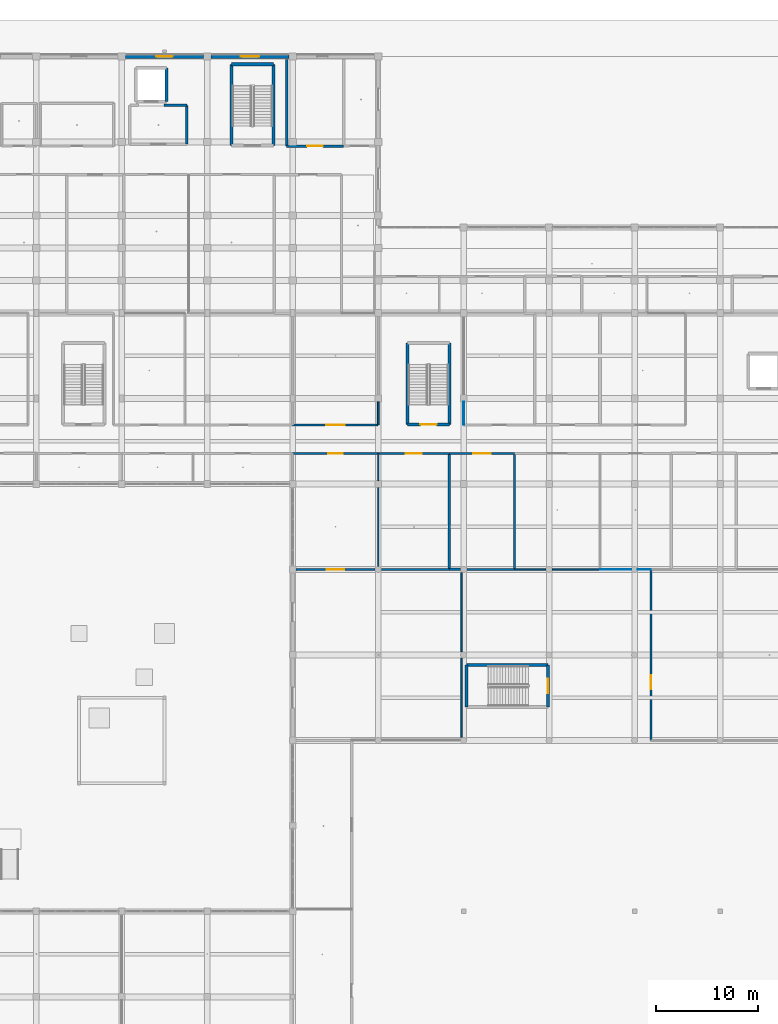
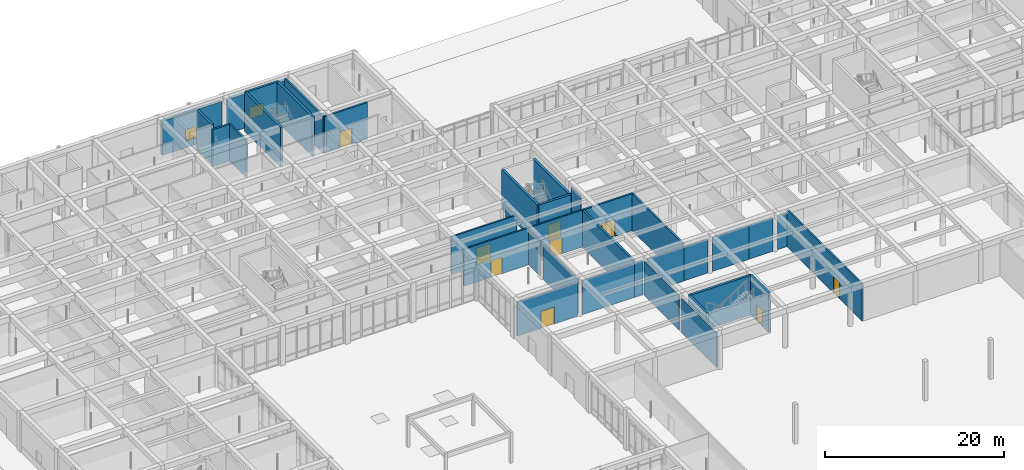
# One storey, part 69 of 167: 37 walls, 9 doors, 2 windows, 11 openings.
"""IFC4 building model written with IfcOpenShell, lengths in metres."""

from ifc_helpers import new_model, si_unit, direction, frame, frame_2d, origin, place, context, subcontext, project, spatial, rectangle, extrude, material, layer, layer_set, type_object, element, fill, save


model = new_model("IFC4")

# Units and contexts
model_context = context("Model", 3, precision=1e-05, world=origin(), true_north=direction((0.0, 1.0)))
body_context = subcontext(model_context, "Body", "Model", "MODEL_VIEW")
ifc_project = project(units=[si_unit("LENGTHUNIT", "METRE"), si_unit("AREAUNIT", "SQUARE_METRE"), si_unit("VOLUMEUNIT", "CUBIC_METRE"), si_unit("PLANEANGLEUNIT", "RADIAN"), si_unit("MASSUNIT", "GRAM", prefix="KILO")], contexts=[model_context])

# Site, building, storey
site_placement = place(None, origin())
site = spatial("IfcSite", under=ifc_project, at=site_placement, CompositionType="ELEMENT")
building_placement = place(site_placement, origin())
building = spatial("IfcBuilding", under=site, at=building_placement, Name="Varncliffe General Hospital", CompositionType="ELEMENT")
storey_placement = place(building_placement, origin())
storey = spatial("IfcBuildingStorey", under=building, at=storey_placement, Name="L00", CompositionType="ELEMENT", Elevation=0.0)

# Wall, opening, window
ifc_material_1 = material(Name="Precast concrete C40/50 with insulated cream lime-cement stucco", Category="concrete")
ifc_layer_1 = layer(ifc_material_1, 0.3798828125)
ifc_layer_set_1 = layer_set([ifc_layer_1], Name="Precast concrete C40/50 with insulated cream lime-cement stucco")
wall_type_1 = type_object("IfcWallType", Name="Exterior Insulated Stucco Wall EW26 (380mm)", PredefinedType="SOLIDWALL", material=ifc_layer_set_1)
wall_1_placement = place(storey_placement, frame((42.347900390625, 124.800048828125, 0.0), z_axis=(0.0, 0.0, 1.0), x_axis=(1.0, 0.0, 0.0)))
wall_1 = element("IfcWall", 1, at=wall_1_placement, inside=storey, type_object=wall_type_1, Name="L00 Exterior Stucco Wall EW26-18", PredefinedType="SOLIDWALL", context=body_context, shape_type="SweptSolid", body=[
    extrude(rectangle(XDim=7.7041015625, YDim=0.3798828125, at=frame_2d((3.85205078125, 0.0))), origin(), (0.0, 0.0, 1.0), 4.679931640625),
])
opening_1_placement = place(wall_1_placement, frame((3.027099609375, 0.0, 0.89990234375)))
opening_1 = element("IfcOpeningElement", 2, at=opening_1_placement, cuts=wall_1, Name="Opening WN20", PredefinedType="OPENING", context=body_context, shape_type="SweptSolid", body=[
    extrude(rectangle(XDim=1.64990234375, YDim=1.550048828125, at=frame_2d((0.824951171875, 0.77490234375))), frame((0.0, 0.199951171875, 0.0), z_axis=(0.0, -1.0, 0.0), x_axis=(1.0, 0.0, 0.0)), (0.0, 0.0, 1.0), 0.39990234375),
])
ifc_material_2 = material(Name="Triple low-E argon insulated vision glazing", Category="glass")
window_type_1 = type_object("IfcWindowType", Name="Triple-Glazed Hospital Window WN20 (1650x1550)", PartitioningType="DOUBLE_PANEL_VERTICAL", PredefinedType="WINDOW", material=ifc_material_2)
window_1_placement = place(opening_1_placement, origin())
window_1 = element("IfcWindow", 3, at=window_1_placement, inside=storey, type_object=window_type_1, Name="L00 Hospital Window WN20-13", OverallHeight=1.550048828125, OverallWidth=1.64990234375, PartitioningType="DOUBLE_PANEL_VERTICAL", PredefinedType="WINDOW", context=body_context, shape_type="SweptSolid", body=[
    extrude(rectangle(XDim=1.64990234375, YDim=1.550048828125, at=frame_2d((0.824951171875, 0.77490234375))), frame((0.0, 0.030029296875, 0.0), z_axis=(0.0, -1.0, 0.0), x_axis=(1.0, 0.0, 0.0)), (0.0, 0.0, 1.0), 0.06005859375),
])
fill(opening_1, window_1)

ifc_layer_2 = layer(ifc_material_1, 0.35009765625)
ifc_layer_set_2 = layer_set([ifc_layer_2], Name="Precast concrete C40/50 with insulated cream lime-cement stucco")
wall_type_2 = type_object("IfcWallType", Name="Exterior Insulated Stucco Wall EW37 (350mm)", PredefinedType="SOLIDWALL", material=ifc_layer_set_2)
wall_2_placement = place(storey_placement, frame((50.748046875, 124.800048828125, 0.0), z_axis=(0.0, 0.0, 1.0), x_axis=(1.0, 0.0, 0.0)))
wall_2 = element("IfcWall", 4, at=wall_2_placement, inside=storey, type_object=wall_type_2, Name="L00 Exterior Stucco Wall EW37-19", PredefinedType="SOLIDWALL", context=body_context, shape_type="SweptSolid", body=[
    extrude(rectangle(XDim=7.703857421875, YDim=0.35009765625, at=frame_2d((3.85205078125, 0.0))), origin(), (0.0, 0.0, 1.0), 4.679931640625),
])
opening_2_placement = place(wall_2_placement, frame((2.951904296875, 0.0, 0.89990234375)))
opening_2 = element("IfcOpeningElement", 5, at=opening_2_placement, cuts=wall_2, Name="Opening WN52", PredefinedType="OPENING", context=body_context, shape_type="SweptSolid", body=[
    extrude(rectangle(XDim=1.800048828125, YDim=1.550048828125, at=frame_2d((0.89990234375, 0.77490234375))), frame((0.0, 0.18505859375, 0.0), z_axis=(0.0, -1.0, 0.0), x_axis=(1.0, 0.0, 0.0)), (0.0, 0.0, 1.0), 0.3701171875),
])
window_type_2 = type_object("IfcWindowType", Name="Triple-Glazed Hospital Window WN52 (1800x1550)", PartitioningType="DOUBLE_PANEL_VERTICAL", PredefinedType="WINDOW", material=ifc_material_2)
window_2_placement = place(opening_2_placement, origin())
window_2 = element("IfcWindow", 6, at=window_2_placement, inside=storey, type_object=window_type_2, Name="L00 Hospital Window WN52-14", OverallHeight=1.550048828125, OverallWidth=1.800048828125, PartitioningType="DOUBLE_PANEL_VERTICAL", PredefinedType="WINDOW", context=body_context, shape_type="SweptSolid", body=[
    extrude(rectangle(XDim=1.800048828125, YDim=1.550048828125, at=frame_2d((0.89990234375, 0.77490234375))), frame((0.0, 0.030029296875, 0.0), z_axis=(0.0, -1.0, 0.0), x_axis=(1.0, 0.0, 0.0)), (0.0, 0.0, 1.0), 0.06005859375),
])
fill(opening_2, window_2)

# Walls
ifc_material_3 = material(Name="Acoustic clinical gypsum stud partition assembly", Category="gypsum")
ifc_layer_3 = layer(ifc_material_3, 0.1298828125)
ifc_layer_set_3 = layer_set([ifc_layer_3], Name="Acoustic clinical gypsum stud partition assembly")
wall_type_3 = type_object("IfcWallType", Name="Interior Partitioning IW11 (130mm)", PredefinedType="PARTITIONING", material=ifc_layer_set_3)
wall_3_placement = place(storey_placement, frame((67.199951171875, 74.715087890625, 0.0), z_axis=(0.0, 0.0, 1.0), x_axis=(0.0, 1.0, 0.0)))
element("IfcWall", 7, at=wall_3_placement, inside=storey, type_object=wall_type_3, Name="L00 Interior Partition Wall IW11-328", PredefinedType="PARTITIONING", context=body_context, shape_type="SweptSolid", body=[
    extrude(rectangle(XDim=7.744873046875, YDim=0.1298828125, at=frame_2d((3.87255859375, 0.0))), origin(), (0.0, 0.0, 1.0), 4.68505859375),
])
wall_4_placement = place(storey_placement, frame((67.199951171875, 83.139892578125, 0.0), z_axis=(0.0, 0.0, 1.0), x_axis=(0.0, 1.0, 0.0)))
element("IfcWall", 8, at=wall_4_placement, inside=storey, type_object=wall_type_3, Name="L00 Interior Partition Wall IW11-329", PredefinedType="PARTITIONING", context=body_context, shape_type="SweptSolid", body=[
    extrude(rectangle(XDim=2.66015625, YDim=0.1298828125, at=frame_2d((1.330078125, 0.0))), origin(), (0.0, 0.0, 1.0), 4.68505859375),
])
ifc_layer_4 = layer(ifc_material_3, 0.169921875)
ifc_layer_set_4 = layer_set([ifc_layer_4], Name="Acoustic clinical gypsum stud partition assembly")
wall_type_4 = type_object("IfcWallType", Name="Interior Partitioning IW20 (170mm)", PredefinedType="PARTITIONING", material=ifc_layer_set_4)
wall_5_placement = place(storey_placement, frame((67.199951171875, 88.60009765625, 0.0), z_axis=(0.0, 0.0, 1.0), x_axis=(0.0, 1.0, 0.0)))
element("IfcWall", 9, at=wall_5_placement, inside=storey, type_object=wall_type_4, Name="L00 Interior Partition Wall IW20-331", PredefinedType="PARTITIONING", context=body_context, shape_type="SweptSolid", body=[
    extrude(rectangle(XDim=2.260009765625, YDim=0.169921875, at=frame_2d((1.1298828125, 0.0))), origin(), (0.0, 0.0, 1.0), 4.68505859375),
])
ifc_layer_5 = layer(ifc_material_3, 0.14990234375)
ifc_layer_set_5 = layer_set([ifc_layer_5], Name="Acoustic clinical gypsum stud partition assembly")
wall_type_5 = type_object("IfcWallType", Name="Interior Partitioning IW35 (150mm)", PredefinedType="PARTITIONING", material=ifc_layer_set_5)
wall_6_placement = place(storey_placement, frame((84.31494140625, 74.39990234375, 0.0), z_axis=(0.0, 0.0, 1.0), x_axis=(1.0, 0.0, 0.0)))
element("IfcWall", 10, at=wall_6_placement, inside=storey, type_object=wall_type_5, Name="L00 Interior Partition Wall IW35-129", PredefinedType="PARTITIONING", context=body_context, shape_type="SweptSolid", body=[
    extrude(rectangle(XDim=4.68505859375, YDim=0.14990234375, at=frame_2d((2.342529296875, 0.0))), origin(), (0.0, 0.0, 1.0), 4.635009765625),
])
wall_7_placement = place(storey_placement, frame((80.60009765625, 74.39990234375, 0.0), z_axis=(0.0, 0.0, 1.0), x_axis=(1.0, 0.0, 0.0)))
element("IfcWall", 11, at=wall_7_placement, inside=storey, type_object=wall_type_5, Name="L00 Interior Partition Wall IW35-130", PredefinedType="PARTITIONING", context=body_context, shape_type="SweptSolid", body=[
    extrude(rectangle(XDim=3.0849609375, YDim=0.14990234375, at=frame_2d((1.54248046875, 0.0))), origin(), (0.0, 0.0, 1.0), 4.635009765625),
])
for number, where, z_axis, x_axis, name in (
    (12, (75.39990234375, 57.9150390625, 0.0), (0.0, 0.0, 1.0), (0.0, 1.0, 0.0), "L00 Interior Partition Wall IW35-334"),
    (13, (75.39990234375, 66.31494140625, 0.0), (0.0, 0.0, 1.0), (0.0, 1.0, 0.0), "L00 Interior Partition Wall IW35-335"),
):
    element("IfcWall", number, at=place(storey_placement, frame(where, z_axis=z_axis, x_axis=x_axis)), inside=storey, type_object=wall_type_5, Name=name, PredefinedType="PARTITIONING", context=body_context, shape_type="SweptSolid", body=[
        extrude(rectangle(XDim=7.77001953125, YDim=0.14990234375, at=frame_2d((3.885009765625, 0.0))), origin(), (0.0, 0.0, 1.0), 4.68505859375),
    ])
ifc_layer_6 = layer(ifc_material_3, 0.090087890625)
ifc_layer_set_6 = layer_set([ifc_layer_6], Name="Acoustic clinical gypsum stud partition assembly")
wall_type_6 = type_object("IfcWallType", Name="Interior Partitioning IW42 (90mm)", PredefinedType="PARTITIONING", material=ifc_layer_set_6)
wall_8_placement = place(storey_placement, frame((89.0, 74.39990234375, 0.0), z_axis=(0.0, 0.0, 1.0), x_axis=(1.0, 0.0, 0.0)))
element("IfcWall", 14, at=wall_8_placement, inside=storey, type_object=wall_type_6, Name="L00 Interior Partition Wall IW42-131", PredefinedType="PARTITIONING", context=body_context, shape_type="SweptSolid", body=[
    extrude(rectangle(XDim=3.0849609375, YDim=0.090087890625, at=frame_2d((1.54248046875, 0.0))), origin(), (0.0, 0.0, 1.0), 4.635009765625),
])
wall_9_placement = place(storey_placement, frame((92.715087890625, 74.39990234375, 0.0), z_axis=(0.0, 0.0, 1.0), x_axis=(1.0, 0.0, 0.0)))
element("IfcWall", 15, at=wall_9_placement, inside=storey, type_object=wall_type_6, Name="L00 Interior Partition Wall IW42-132", PredefinedType="PARTITIONING", context=body_context, shape_type="SweptSolid", body=[
    extrude(rectangle(XDim=1.284912109375, YDim=0.090087890625, at=frame_2d((0.642578125, 0.0))), origin(), (0.0, 0.0, 1.0), 4.635009765625),
])
wall_10_placement = place(storey_placement, frame((75.60009765625, 88.60009765625, 0.0), z_axis=(0.0, 0.0, 1.0), x_axis=(0.0, 1.0, 0.0)))
element("IfcWall", 16, at=wall_10_placement, inside=storey, type_object=wall_type_6, Name="L00 Interior Partition Wall IW42-337", PredefinedType="PARTITIONING", context=body_context, shape_type="SweptSolid", body=[
    extrude(rectangle(XDim=2.260009765625, YDim=0.090087890625, at=frame_2d((1.1298828125, 0.0))), origin(), (0.0, 0.0, 1.0), 4.68505859375),
])
ifc_material_4 = material(Name="Fire-rated gypsum and mineral-wool partition assembly", Category="gypsum")
ifc_layer_7 = layer(ifc_material_4, 0.25)
ifc_layer_set_7 = layer_set([ifc_layer_7], Name="Fire-rated gypsum and mineral-wool partition assembly")
wall_type_7 = type_object("IfcWallType", Name="Interior Partitioning PW38 (250mm)", PredefinedType="PARTITIONING", material=ifc_layer_set_7)
wall_11_placement = place(storey_placement, frame((74.199951171875, 74.39990234375, 0.0), z_axis=(0.0, 0.0, 1.0), x_axis=(1.0, 0.0, 0.0)))
element("IfcWall", 17, at=wall_11_placement, inside=storey, type_object=wall_type_7, Name="L00 Interior Partition Wall PW38-127", PredefinedType="PARTITIONING", context=body_context, shape_type="SweptSolid", body=[
    extrude(rectangle(XDim=1.0849609375, YDim=0.25, at=frame_2d((0.54248046875, 0.0))), origin(), (0.0, 0.0, 1.0), 4.635009765625),
])

# Wall, opening, door
wall_12_placement = place(storey_placement, frame((58.199951171875, 116.0, 0.0), z_axis=(0.0, 0.0, 1.0), x_axis=(1.0, 0.0, 0.0)))
wall_12 = element("IfcWall", 18, at=wall_12_placement, inside=storey, type_object=wall_type_7, Name="L00 Interior Partition Wall PW38-247", PredefinedType="PARTITIONING", context=body_context, shape_type="SweptSolid", body=[
    extrude(rectangle(XDim=5.60009765625, YDim=0.25, at=frame_2d((2.800048828125, 0.0))), origin(), (0.0, 0.0, 1.0), 5.0400390625),
])
opening_3_placement = place(wall_12_placement, frame((2.02490234375, 0.0, 0.0)))
opening_3 = element("IfcOpeningElement", 19, at=opening_3_placement, cuts=wall_12, Name="Opening DC67", PredefinedType="OPENING", context=body_context, shape_type="SweptSolid", body=[
    extrude(rectangle(XDim=1.550048828125, YDim=2.25, at=frame_2d((0.77490234375, 1.125))), frame((0.0, 0.135009765625, 0.0), z_axis=(0.0, -1.0, 0.0), x_axis=(1.0, 0.0, 0.0)), (0.0, 0.0, 1.0), 0.27001953125),
])
ifc_material_5 = material(Name="Fire-rated hospital steel-frame vision-panel door", Category="steel")
door_type_1 = type_object("IfcDoorType", Name="Interior Hospital Door DC67 (1550x2250)", OperationType="NOTDEFINED", PredefinedType="DOOR", material=ifc_material_5)
door_1_placement = place(opening_3_placement, origin())
door_1 = element("IfcDoor", 20, at=door_1_placement, inside=storey, type_object=door_type_1, Name="L00 Ground Ward Clean Utility Store 132 Door", OperationType="SINGLE_SWING_LEFT", OverallHeight=2.25, OverallWidth=1.550048828125, PredefinedType="DOOR", context=body_context, shape_type="SweptSolid", body=[
    extrude(rectangle(XDim=1.550048828125, YDim=2.25, at=frame_2d((0.77490234375, 1.125))), frame((0.0, 0.02490234375, 0.0), z_axis=(0.0, -1.0, 0.0), x_axis=(1.0, 0.0, 0.0)), (0.0, 0.0, 1.0), 0.050048828125),
])
fill(opening_3, door_1)

# Walls
wall_13_placement = place(storey_placement, frame((46.135986328125, 120.0, 0.0), z_axis=(0.0, 0.0, 1.0), x_axis=(1.0, 0.0, 0.0)))
element("IfcWall", 21, at=wall_13_placement, inside=storey, type_object=wall_type_7, Name="L00 Interior Partition Wall PW38-259", PredefinedType="PARTITIONING", context=body_context, shape_type="SweptSolid", body=[
    extrude(rectangle(XDim=2.263916015625, YDim=0.25, at=frame_2d((1.1318359375, 0.0))), origin(), (0.0, 0.0, 1.0), 5.0400390625),
])
wall_14_placement = place(storey_placement, frame((74.199951171875, 74.39990234375, 0.0), z_axis=(0.0, 0.0, 1.0), x_axis=(0.0, 1.0, 0.0)))
element("IfcWall", 22, at=wall_14_placement, inside=storey, type_object=wall_type_7, Name="L00 Interior Partition Wall PW38-333", PredefinedType="PARTITIONING", context=body_context, shape_type="SweptSolid", body=[
    extrude(rectangle(XDim=11.400146484375, YDim=0.25, at=frame_2d((5.7001953125, 0.0))), origin(), (0.0, 0.0, 1.0), 5.0400390625),
])
ifc_layer_8 = layer(ifc_material_4, 0.22998046875)
ifc_layer_set_8 = layer_set([ifc_layer_8], Name="Fire-rated gypsum and mineral-wool partition assembly")
wall_type_8 = type_object("IfcWallType", Name="Interior Partitioning PW48 (230mm)", PredefinedType="PARTITIONING", material=ifc_layer_set_8)
wall_15_placement = place(storey_placement, frame((75.9150390625, 74.39990234375, 0.0), z_axis=(0.0, 0.0, 1.0), x_axis=(1.0, 0.0, 0.0)))
element("IfcWall", 23, at=wall_15_placement, inside=storey, type_object=wall_type_8, Name="L00 Interior Partition Wall PW48-128", PredefinedType="PARTITIONING", context=body_context, shape_type="SweptSolid", body=[
    extrude(rectangle(XDim=4.68505859375, YDim=0.22998046875, at=frame_2d((2.342529296875, 0.0))), origin(), (0.0, 0.0, 1.0), 4.635009765625),
])

# Wall, opening, door
wall_16_placement = place(storey_placement, frame((74.199951171875, 85.800048828125, 0.0), z_axis=(0.0, 0.0, 1.0), x_axis=(1.0, 0.0, 0.0)))
wall_16 = element("IfcWall", 24, at=wall_16_placement, inside=storey, type_object=wall_type_8, Name="L00 Interior Partition Wall PW48-152", PredefinedType="PARTITIONING", context=body_context, shape_type="SweptSolid", body=[
    extrude(rectangle(XDim=6.400146484375, YDim=0.22998046875, at=frame_2d((3.2001953125, 0.0))), origin(), (0.0, 0.0, 1.0), 5.0400390625),
])
opening_4_placement = place(wall_16_placement, frame((2.35009765625, 0.0, 0.0)))
opening_4 = element("IfcOpeningElement", 25, at=opening_4_placement, cuts=wall_16, Name="Opening DC50", PredefinedType="OPENING", context=body_context, shape_type="SweptSolid", body=[
    extrude(rectangle(XDim=1.699951171875, YDim=2.300048828125, at=frame_2d((0.85009765625, 1.14990234375))), frame((0.0, 0.125, 0.0), z_axis=(0.0, -1.0, 0.0), x_axis=(1.0, 0.0, 0.0)), (0.0, 0.0, 1.0), 0.25),
])
door_type_2 = type_object("IfcDoorType", Name="Interior Hospital Door DC50 (1700x2300)", OperationType="NOTDEFINED", PredefinedType="DOOR", material=ifc_material_5)
door_2_placement = place(opening_4_placement, frame((1.699951171875, 0.0, 0.0), z_axis=(0.0, 0.0, 1.0), x_axis=(-1.0, 0.0, 0.0)))
door_2 = element("IfcDoor", 26, at=door_2_placement, inside=storey, type_object=door_type_2, Name="L00 Surgical Clean Supply Store 70 Door", OperationType="SINGLE_SWING_LEFT", OverallHeight=2.300048828125, OverallWidth=1.699951171875, PredefinedType="DOOR", context=body_context, shape_type="SweptSolid", body=[
    extrude(rectangle(XDim=1.699951171875, YDim=2.300048828125, at=frame_2d((0.85009765625, 1.14990234375))), frame((0.0, 0.02490234375, 0.0), z_axis=(0.0, -1.0, 0.0), x_axis=(1.0, 0.0, 0.0)), (0.0, 0.0, 1.0), 0.050048828125),
])
fill(opening_4, door_2)

# Walls
wall_17_placement = place(storey_placement, frame((48.39990234375, 116.199951171875, 0.0), z_axis=(0.0, 0.0, 1.0), x_axis=(0.0, 1.0, 0.0)))
element("IfcWall", 27, at=wall_17_placement, inside=storey, type_object=wall_type_8, Name="L00 Interior Partition Wall PW48-310", PredefinedType="PARTITIONING", context=body_context, shape_type="SweptSolid", body=[
    extrude(rectangle(XDim=3.800048828125, YDim=0.22998046875, at=frame_2d((1.89990234375, 0.0))), origin(), (0.0, 0.0, 1.0), 5.0400390625),
])
wall_18_placement = place(storey_placement, frame((58.199951171875, 116.0, 0.0), z_axis=(0.0, 0.0, 1.0), x_axis=(0.0, 1.0, 0.0)))
element("IfcWall", 28, at=wall_18_placement, inside=storey, type_object=wall_type_8, Name="L00 Interior Partition Wall PW48-314", PredefinedType="PARTITIONING", context=body_context, shape_type="SweptSolid", body=[
    extrude(rectangle(XDim=8.5400390625, YDim=0.22998046875, at=frame_2d((4.27001953125, 0.0))), origin(), (0.0, 0.0, 1.0), 5.0400390625),
])
wall_19_placement = place(storey_placement, frame((80.60009765625, 74.39990234375, 0.0), z_axis=(0.0, 0.0, 1.0), x_axis=(0.0, 1.0, 0.0)))
element("IfcWall", 29, at=wall_19_placement, inside=storey, type_object=wall_type_8, Name="L00 Interior Partition Wall PW48-338", PredefinedType="PARTITIONING", context=body_context, shape_type="SweptSolid", body=[
    extrude(rectangle(XDim=11.400146484375, YDim=0.22998046875, at=frame_2d((5.7001953125, 0.0))), origin(), (0.0, 0.0, 1.0), 5.0400390625),
])

# Wall, opening, door
ifc_layer_9 = layer(ifc_material_4, 0.199951171875)
ifc_layer_set_9 = layer_set([ifc_layer_9], Name="Fire-rated gypsum and mineral-wool partition assembly")
wall_type_9 = type_object("IfcWallType", Name="Interior Partitioning PW63 (200mm)", PredefinedType="PARTITIONING", material=ifc_layer_set_9)
wall_20_placement = place(storey_placement, frame((59.139892578125, 74.39990234375, 0.0), z_axis=(0.0, 0.0, 1.0), x_axis=(1.0, 0.0, 0.0)))
wall_20 = element("IfcWall", 30, at=wall_20_placement, inside=storey, type_object=wall_type_9, Name="L00 Interior Partition Wall PW63-125", PredefinedType="PARTITIONING", context=body_context, shape_type="SweptSolid", body=[
    extrude(rectangle(XDim=7.7451171875, YDim=0.199951171875, at=frame_2d((3.87255859375, 0.0))), origin(), (0.0, 0.0, 1.0), 4.635009765625),
])
opening_5_placement = place(wall_20_placement, frame((3.0224609375, 0.0, 0.0)))
opening_5 = element("IfcOpeningElement", 31, at=opening_5_placement, cuts=wall_20, Name="Opening DC50", PredefinedType="OPENING", context=body_context, shape_type="SweptSolid", body=[
    extrude(rectangle(XDim=1.699951171875, YDim=2.300048828125, at=frame_2d((0.85009765625, 1.14990234375))), frame((0.0, 0.10986328125, 0.0), z_axis=(0.0, -1.0, 0.0), x_axis=(1.0, 0.0, 0.0)), (0.0, 0.0, 1.0), 0.219970703125),
])
door_3_placement = place(opening_5_placement, frame((1.699951171875, 0.0, 0.0), z_axis=(0.0, 0.0, 1.0), x_axis=(-1.0, 0.0, 0.0)))
door_3 = element("IfcDoor", 32, at=door_3_placement, inside=storey, type_object=door_type_2, Name="L00 Winter-Garden Diagnostic Reception Lounge Door", OperationType="SINGLE_SWING_RIGHT", OverallHeight=2.300048828125, OverallWidth=1.699951171875, PredefinedType="DOOR", context=body_context, shape_type="SweptSolid", body=[
    extrude(rectangle(XDim=1.699951171875, YDim=2.300048828125, at=frame_2d((0.85009765625, 1.14990234375))), frame((0.0, 0.02490234375, 0.0), z_axis=(0.0, -1.0, 0.0), x_axis=(1.0, 0.0, 0.0)), (0.0, 0.0, 1.0), 0.050048828125),
])
fill(opening_5, door_3)

# Wall
wall_21_placement = place(storey_placement, frame((67.514892578125, 74.39990234375, 0.0), z_axis=(0.0, 0.0, 1.0), x_axis=(1.0, 0.0, 0.0)))
element("IfcWall", 33, at=wall_21_placement, inside=storey, type_object=wall_type_9, Name="L00 Interior Partition Wall PW63-126", PredefinedType="PARTITIONING", context=body_context, shape_type="SweptSolid", body=[
    extrude(rectangle(XDim=6.68505859375, YDim=0.199951171875, at=frame_2d((3.342529296875, 0.0))), origin(), (0.0, 0.0, 1.0), 4.635009765625),
])

# Wall, opening, door
wall_22_placement = place(storey_placement, frame((58.800048828125, 85.800048828125, 0.0), z_axis=(0.0, 0.0, 1.0), x_axis=(1.0, 0.0, 0.0)))
wall_22 = element("IfcWall", 34, at=wall_22_placement, inside=storey, type_object=wall_type_9, Name="L00 Interior Partition Wall PW63-150", PredefinedType="PARTITIONING", context=body_context, shape_type="SweptSolid", body=[
    extrude(rectangle(XDim=8.39990234375, YDim=0.199951171875, at=frame_2d((4.199951171875, 0.0))), origin(), (0.0, 0.0, 1.0), 5.0400390625),
])
opening_6_placement = place(wall_22_placement, frame((3.47509765625, 0.0, 0.0)))
opening_6 = element("IfcOpeningElement", 35, at=opening_6_placement, cuts=wall_22, Name="Opening DC66", PredefinedType="OPENING", context=body_context, shape_type="SweptSolid", body=[
    extrude(rectangle(XDim=1.449951171875, YDim=2.25, at=frame_2d((0.72509765625, 1.125))), frame((0.0, 0.10986328125, 0.0), z_axis=(0.0, -1.0, 0.0), x_axis=(1.0, 0.0, 0.0)), (0.0, 0.0, 1.0), 0.219970703125),
])
door_type_3 = type_object("IfcDoorType", Name="Interior Hospital Door DC66 (1450x2250)", OperationType="NOTDEFINED", PredefinedType="DOOR", material=ifc_material_5)
door_4_placement = place(opening_6_placement, frame((1.449951171875, 0.0, 0.0), z_axis=(0.0, 0.0, 1.0), x_axis=(-1.0, 0.0, 0.0)))
door_4 = element("IfcDoor", 36, at=door_4_placement, inside=storey, type_object=door_type_3, Name="L00 Diagnostic Fluoroscopy and X-Ray Suite 68 Door", OperationType="SINGLE_SWING_LEFT", OverallHeight=2.25, OverallWidth=1.449951171875, PredefinedType="DOOR", context=body_context, shape_type="SweptSolid", body=[
    extrude(rectangle(XDim=1.449951171875, YDim=2.25, at=frame_2d((0.72509765625, 1.125))), frame((0.0, 0.02490234375, 0.0), z_axis=(0.0, -1.0, 0.0), x_axis=(1.0, 0.0, 0.0)), (0.0, 0.0, 1.0), 0.050048828125),
])
fill(opening_6, door_4)

wall_23_placement = place(storey_placement, frame((67.199951171875, 85.800048828125, 0.0), z_axis=(0.0, 0.0, 1.0), x_axis=(1.0, 0.0, 0.0)))
wall_23 = element("IfcWall", 37, at=wall_23_placement, inside=storey, type_object=wall_type_9, Name="L00 Interior Partition Wall PW63-151", PredefinedType="PARTITIONING", context=body_context, shape_type="SweptSolid", body=[
    extrude(rectangle(XDim=7.0, YDim=0.199951171875, at=frame_2d((3.5, 0.0))), origin(), (0.0, 0.0, 1.0), 5.0400390625),
])
opening_7_placement = place(wall_23_placement, frame((2.72509765625, 0.0, 0.0)))
opening_7 = element("IfcOpeningElement", 38, at=opening_7_placement, cuts=wall_23, Name="Opening DC67", PredefinedType="OPENING", context=body_context, shape_type="SweptSolid", body=[
    extrude(rectangle(XDim=1.550048828125, YDim=2.25, at=frame_2d((0.77490234375, 1.125))), frame((0.0, 0.10986328125, 0.0), z_axis=(0.0, -1.0, 0.0), x_axis=(1.0, 0.0, 0.0)), (0.0, 0.0, 1.0), 0.219970703125),
])
door_5_placement = place(opening_7_placement, frame((1.550048828125, 0.0, 0.0), z_axis=(0.0, 0.0, 1.0), x_axis=(-1.0, 0.0, 0.0)))
door_5 = element("IfcDoor", 39, at=door_5_placement, inside=storey, type_object=door_type_1, Name="L00 Sterile Dispatch and Surgical Prep Room 69 Door", OperationType="SINGLE_SWING_RIGHT", OverallHeight=2.25, OverallWidth=1.550048828125, PredefinedType="DOOR", context=body_context, shape_type="SweptSolid", body=[
    extrude(rectangle(XDim=1.550048828125, YDim=2.25, at=frame_2d((0.77490234375, 1.125))), frame((0.0, 0.02490234375, 0.0), z_axis=(0.0, -1.0, 0.0), x_axis=(1.0, 0.0, 0.0)), (0.0, 0.0, 1.0), 0.050048828125),
])
fill(opening_7, door_5)

wall_24_placement = place(storey_placement, frame((58.800048828125, 88.60009765625, 0.0), z_axis=(0.0, 0.0, 1.0), x_axis=(1.0, 0.0, 0.0)))
wall_24 = element("IfcWall", 40, at=wall_24_placement, inside=storey, type_object=wall_type_9, Name="L00 Interior Partition Wall PW63-167", PredefinedType="PARTITIONING", context=body_context, shape_type="SweptSolid", body=[
    extrude(rectangle(XDim=8.39990234375, YDim=0.199951171875, at=frame_2d((4.199951171875, 0.0))), origin(), (0.0, 0.0, 1.0), 5.0400390625),
])
opening_8_placement = place(wall_24_placement, frame((3.27490234375, 0.0, 0.0)))
opening_8 = element("IfcOpeningElement", 41, at=opening_8_placement, cuts=wall_24, Name="Opening DC38", PredefinedType="OPENING", context=body_context, shape_type="SweptSolid", body=[
    extrude(rectangle(XDim=1.85009765625, YDim=2.300048828125, at=frame_2d((0.925048828125, 1.14990234375))), frame((0.0, 0.10986328125, 0.0), z_axis=(0.0, -1.0, 0.0), x_axis=(1.0, 0.0, 0.0)), (0.0, 0.0, 1.0), 0.219970703125),
])
door_type_4 = type_object("IfcDoorType", Name="Interior Hospital Door DC38 (1850x2300)", OperationType="NOTDEFINED", PredefinedType="DOOR", material=ifc_material_5)
door_6_placement = place(opening_8_placement, origin())
door_6 = element("IfcDoor", 42, at=door_6_placement, inside=storey, type_object=door_type_4, Name="L00 Diagnostic Fluoroscopy and X-Ray Suite 81 Door", OperationType="SINGLE_SWING_RIGHT", OverallHeight=2.300048828125, OverallWidth=1.85009765625, PredefinedType="DOOR", context=body_context, shape_type="SweptSolid", body=[
    extrude(rectangle(XDim=1.85009765625, YDim=2.300048828125, at=frame_2d((0.925048828125, 1.14990234375))), frame((0.0, 0.02490234375, 0.0), z_axis=(0.0, -1.0, 0.0), x_axis=(1.0, 0.0, 0.0)), (0.0, 0.0, 1.0), 0.050048828125),
])
fill(opening_8, door_6)

wall_25_placement = place(storey_placement, frame((94.0, 57.60009765625, 0.0), z_axis=(0.0, 0.0, 1.0), x_axis=(0.0, 1.0, 0.0)))
wall_25 = element("IfcWall", 43, at=wall_25_placement, inside=storey, type_object=wall_type_9, Name="L00 Interior Partition Wall PW63-345", PredefinedType="PARTITIONING", context=body_context, shape_type="SweptSolid", body=[
    extrude(rectangle(XDim=16.7998046875, YDim=0.199951171875, at=frame_2d((8.39990234375, 0.0))), origin(), (0.0, 0.0, 1.0), 5.0400390625),
])
opening_9_placement = place(wall_25_placement, frame((5.030517578125, 0.0, 0.0)))
opening_9 = element("IfcOpeningElement", 44, at=opening_9_placement, cuts=wall_25, Name="Opening DC85", PredefinedType="OPENING", context=body_context, shape_type="SweptSolid", body=[
    extrude(rectangle(XDim=1.35009765625, YDim=2.199951171875, at=frame_2d((0.675048828125, 1.10009765625))), frame((0.0, 0.10986328125, 0.0), z_axis=(0.0, -1.0, 0.0), x_axis=(1.0, 0.0, 0.0)), (0.0, 0.0, 1.0), 0.219970703125),
])
door_type_5 = type_object("IfcDoorType", Name="Interior Hospital Door DC85 (1350x2200)", OperationType="NOTDEFINED", PredefinedType="DOOR", material=ifc_material_5)
door_7_placement = place(opening_9_placement, frame((1.35009765625, 0.0, 0.0), z_axis=(0.0, 0.0, 1.0), x_axis=(-1.0, 0.0, 0.0)))
door_7 = element("IfcDoor", 45, at=door_7_placement, inside=storey, type_object=door_type_5, Name="L00 Winter-Garden Outpatient Waiting Concourse Door", OperationType="SINGLE_SWING_LEFT", OverallHeight=2.199951171875, OverallWidth=1.35009765625, PredefinedType="DOOR", context=body_context, shape_type="SweptSolid", body=[
    extrude(rectangle(XDim=1.35009765625, YDim=2.199951171875, at=frame_2d((0.675048828125, 1.10009765625))), frame((0.0, 0.02490234375, 0.0), z_axis=(0.0, -1.0, 0.0), x_axis=(1.0, 0.0, 0.0)), (0.0, 0.0, 1.0), 0.050048828125),
])
fill(opening_9, door_7)

# Walls
ifc_material_6 = material(Name="Concrete C40/50 (CSA A23.1 40 MPa)", Category="concrete")
ifc_layer_10 = layer(ifc_material_6, 0.300048828125)
ifc_layer_set_10 = layer_set([ifc_layer_10], Name="Concrete C40/50 (CSA A23.1 40 MPa)")
wall_type_10 = type_object("IfcWallType", Name="Reinforced Concrete Core Shear Wall CW12 (300mm)", PredefinedType="SHEAR", material=ifc_layer_set_10)
wall_26_placement = place(storey_placement, frame((56.89990234375, 116.050048828125, 0.0), z_axis=(0.0, 0.0, 1.0), x_axis=(0.0, 1.0, 0.0)))
element("IfcWall", 46, at=wall_26_placement, inside=storey, type_object=wall_type_10, Name="L00 ST02 Core Shear Wall L", PredefinedType="SHEAR", context=body_context, shape_type="SweptSolid", body=[
    extrude(rectangle(XDim=8.0, YDim=0.300048828125, at=frame_2d((4.0, 0.0))), origin(), (0.0, 0.0, 1.0), 5.39990234375),
])
wall_27_placement = place(storey_placement, frame((56.89990234375, 124.050048828125, 0.0), z_axis=(0.0, 0.0, 1.0), x_axis=(-1.0, 0.0, 0.0)))
element("IfcWall", 47, at=wall_27_placement, inside=storey, type_object=wall_type_10, Name="L00 ST02 Core Shear Wall F", PredefinedType="SHEAR", context=body_context, shape_type="SweptSolid", body=[
    extrude(rectangle(XDim=4.099853515625, YDim=0.300048828125, at=frame_2d((2.0498046875, 0.0))), origin(), (0.0, 0.0, 1.0), 5.39990234375),
])
for number, where, z_axis, x_axis, name in (
    (48, (52.800048828125, 124.050048828125, 0.0), (0.0, 0.0, 1.0), (0.0, -1.0, 0.0), "L00 ST02 Core Shear Wall R"),
    (49, (74.199951171875, 88.64990234375, 0.0), (0.0, 0.0, 1.0), (0.0, 1.0, 0.0), "L00 ST12 Core Shear Wall L"),
    (50, (70.10009765625, 96.64990234375, 0.0), (0.0, 0.0, 1.0), (0.0, -1.0, 0.0), "L00 ST12 Core Shear Wall R"),
):
    element("IfcWall", number, at=place(storey_placement, frame(where, z_axis=z_axis, x_axis=x_axis)), inside=storey, type_object=wall_type_10, Name=name, PredefinedType="SHEAR", context=body_context, shape_type="SweptSolid", body=[
        extrude(rectangle(XDim=8.0, YDim=0.300048828125, at=frame_2d((4.0, 0.0))), origin(), (0.0, 0.0, 1.0), 5.39990234375),
    ])

# Wall, opening, door
wall_28_placement = place(storey_placement, frame((70.10009765625, 88.64990234375, 0.0), z_axis=(0.0, 0.0, 1.0), x_axis=(1.0, 0.0, 0.0)))
wall_28 = element("IfcWall", 51, at=wall_28_placement, inside=storey, type_object=wall_type_10, Name="L00 ST12 Core Shear Wall N", PredefinedType="SHEAR", context=body_context, shape_type="SweptSolid", body=[
    extrude(rectangle(XDim=4.099853515625, YDim=0.300048828125, at=frame_2d((2.0498046875, 0.0))), origin(), (0.0, 0.0, 1.0), 5.39990234375),
])
opening_10_placement = place(wall_28_placement, frame((1.25, 0.0, 0.0)))
opening_10 = element("IfcOpeningElement", 52, at=opening_10_placement, cuts=wall_28, Name="Opening DF27", PredefinedType="OPENING", context=body_context, shape_type="SweptSolid", body=[
    extrude(rectangle(XDim=1.60009765625, YDim=2.25, at=frame_2d((0.800048828125, 1.125))), frame((0.0, 0.16015625, 0.0), z_axis=(0.0, -1.0, 0.0), x_axis=(1.0, 0.0, 0.0)), (0.0, 0.0, 1.0), 0.320068359375),
])
door_type_6 = type_object("IfcDoorType", Name="Interior Hospital Door DF27 (1600x2250)", OperationType="NOTDEFINED", PredefinedType="DOOR", material=ifc_material_5)
door_8_placement = place(opening_10_placement, origin())
door_8 = element("IfcDoor", 53, at=door_8_placement, inside=storey, type_object=door_type_6, Name="L00 ST12 Protected Exit Stair Door", OperationType="SINGLE_SWING_LEFT", OverallHeight=2.25, OverallWidth=1.60009765625, PredefinedType="DOOR", context=body_context, shape_type="SweptSolid", body=[
    extrude(rectangle(XDim=1.60009765625, YDim=2.25, at=frame_2d((0.800048828125, 1.125))), frame((0.0, 0.02490234375, 0.0), z_axis=(0.0, -1.0, 0.0), x_axis=(1.0, 0.0, 0.0)), (0.0, 0.0, 1.0), 0.050048828125),
])
fill(opening_10, door_8)

# Walls
wall_29_placement = place(storey_placement, frame((83.89990234375, 65.0, 0.0), z_axis=(0.0, 0.0, 1.0), x_axis=(-1.0, 0.0, 0.0)))
element("IfcWall", 54, at=wall_29_placement, inside=storey, type_object=wall_type_10, Name="L00 ST16 Core Shear Wall L", PredefinedType="SHEAR", context=body_context, shape_type="SweptSolid", body=[
    extrude(rectangle(XDim=8.0, YDim=0.300048828125, at=frame_2d((4.0, 0.0))), origin(), (0.0, 0.0, 1.0), 5.39990234375),
])
wall_30_placement = place(storey_placement, frame((75.89990234375, 65.0, 0.0), z_axis=(0.0, 0.0, 1.0), x_axis=(0.0, -1.0, 0.0)))
element("IfcWall", 55, at=wall_30_placement, inside=storey, type_object=wall_type_10, Name="L00 ST16 Core Shear Wall F", PredefinedType="SHEAR", context=body_context, shape_type="SweptSolid", body=[
    extrude(rectangle(XDim=4.10009765625, YDim=0.300048828125, at=frame_2d((2.050048828125, 0.0))), origin(), (0.0, 0.0, 1.0), 5.39990234375),
])

# Wall, opening, door
wall_31_placement = place(storey_placement, frame((83.89990234375, 60.89990234375, 0.0), z_axis=(0.0, 0.0, 1.0), x_axis=(0.0, 1.0, 0.0)))
wall_31 = element("IfcWall", 56, at=wall_31_placement, inside=storey, type_object=wall_type_10, Name="L00 ST16 Core Shear Wall N", PredefinedType="SHEAR", context=body_context, shape_type="SweptSolid", body=[
    extrude(rectangle(XDim=4.10009765625, YDim=0.300048828125, at=frame_2d((2.050048828125, 0.0))), origin(), (0.0, 0.0, 1.0), 5.39990234375),
])
opening_11_placement = place(wall_31_placement, frame((1.35009765625, 0.0, 0.0)))
opening_11 = element("IfcOpeningElement", 57, at=opening_11_placement, cuts=wall_31, Name="Opening DF81", PredefinedType="OPENING", context=body_context, shape_type="SweptSolid", body=[
    extrude(rectangle(XDim=1.39990234375, YDim=2.199951171875, at=frame_2d((0.699951171875, 1.10009765625))), frame((0.0, 0.16015625, 0.0), z_axis=(0.0, -1.0, 0.0), x_axis=(1.0, 0.0, 0.0)), (0.0, 0.0, 1.0), 0.320068359375),
])
door_type_7 = type_object("IfcDoorType", Name="Interior Hospital Door DF81 (1400x2200)", OperationType="NOTDEFINED", PredefinedType="DOOR", material=ifc_material_5)
door_9_placement = place(opening_11_placement, origin())
door_9 = element("IfcDoor", 58, at=door_9_placement, inside=storey, type_object=door_type_7, Name="L00 ST16 Protected Exit Stair Door", OperationType="SINGLE_SWING_LEFT", OverallHeight=2.199951171875, OverallWidth=1.39990234375, PredefinedType="DOOR", context=body_context, shape_type="SweptSolid", body=[
    extrude(rectangle(XDim=1.39990234375, YDim=2.199951171875, at=frame_2d((0.699951171875, 1.10009765625))), frame((0.0, 0.02490234375, 0.0), z_axis=(0.0, -1.0, 0.0), x_axis=(1.0, 0.0, 0.0)), (0.0, 0.0, 1.0), 0.050048828125),
])
fill(opening_11, door_9)

# Wall
wall_32_placement = place(storey_placement, frame((46.39990234375, 120.39990234375, 0.0), z_axis=(0.0, 0.0, 1.0), x_axis=(0.0, 1.0, 0.0)))
element("IfcWall", 59, at=wall_32_placement, inside=storey, type_object=wall_type_10, Name="L00 LF02 Elevator Shaft Wall East", PredefinedType="SHEAR", context=body_context, shape_type="SweptSolid", body=[
    extrude(rectangle(XDim=3.300048828125, YDim=0.300048828125, at=frame_2d((1.64990234375, 0.0))), origin(), (0.0, 0.0, 1.0), 5.39990234375),
])

save(model, "model.ifc")
